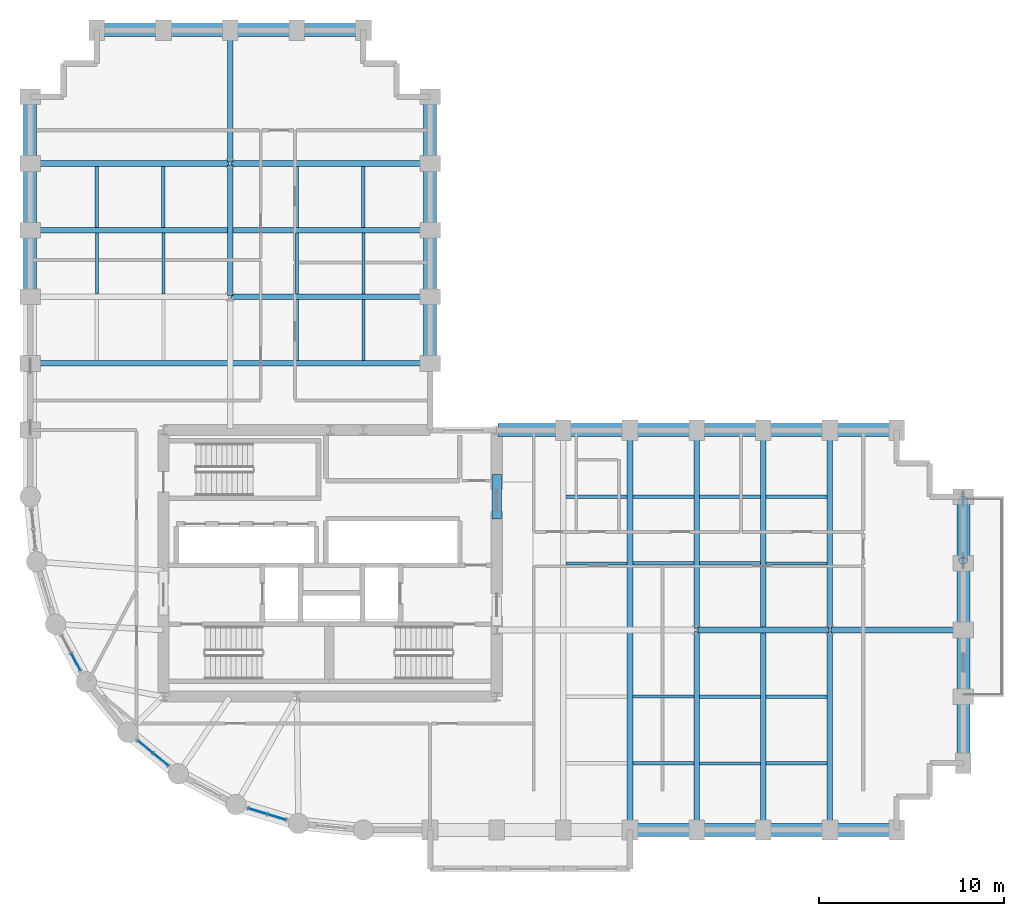
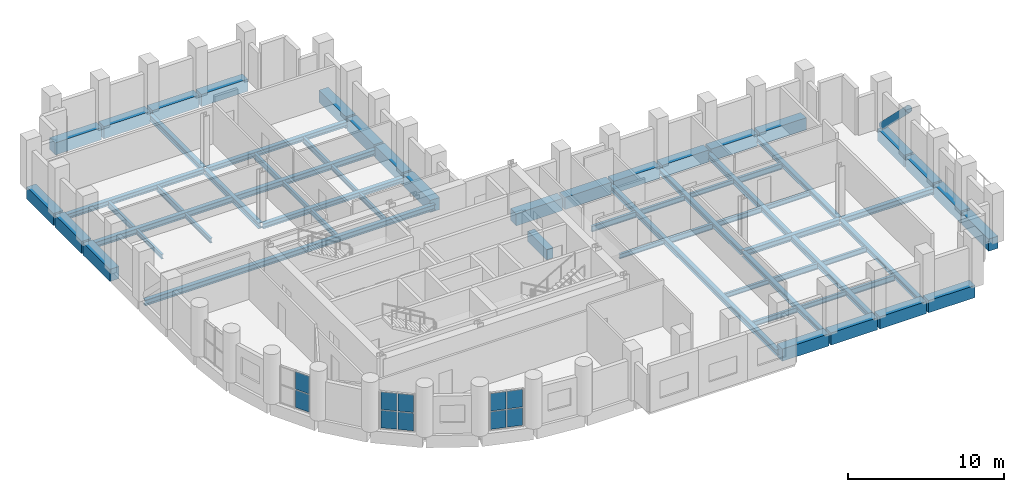
# One storey, part 5 of 11: 65 beams, 10 plates, 1 member, 3 elements without a shape of their own.
"""IFC4 building model written with IfcOpenShell, lengths in metres."""

from ifc_helpers import new_model, si_unit, direction, frame, origin, origin_2d, place, context, subcontext, project, spatial, rectangle, hollow_circle, i_section, extrude, material, layer, layer_set, material_profile, profile_set, type_object, element, aggregate, save


model = new_model("IFC4")

# Units and contexts
model_context = context("Model", 3, precision=1e-05, world=origin(), true_north=direction((0.0, 1.0)))
body_context = subcontext(model_context, "Body", "Model", "MODEL_VIEW")
ifc_project = project(units=[si_unit("LENGTHUNIT", "METRE"), si_unit("AREAUNIT", "SQUARE_METRE"), si_unit("VOLUMEUNIT", "CUBIC_METRE"), si_unit("PLANEANGLEUNIT", "RADIAN"), si_unit("MASSUNIT", "GRAM", prefix="KILO")], contexts=[model_context])

# Site, building, storey
site_placement = place(None, origin())
site = spatial("IfcSite", under=ifc_project, at=site_placement, CompositionType="ELEMENT")
building_placement = place(site_placement, origin())
building = spatial("IfcBuilding", under=site, at=building_placement, Name="Solnavia Interchange Tower", CompositionType="ELEMENT")
storey_placement = place(building_placement, frame((0.0, 0.0, 99.60009765625)))
storey = spatial("IfcBuildingStorey", under=building, at=storey_placement, Name="L24", CompositionType="ELEMENT", Elevation=99.60009765625)

# Beams
ifc_material_1 = material(Name="Concrete C50/60", Category="concrete")
ifc_material_profile_1 = material_profile(ifc_material_1, rectangle(XDim=0.5, YDim=0.800048828125, at=origin_2d()), Name="RC 500x800")
ifc_profile_set_1 = profile_set([ifc_material_profile_1], Name="Concrete C50/60")
beam_type_1 = type_object("IfcBeamType", Name="Beam-Coupling-RC500x800", PredefinedType="LINTEL", material=ifc_profile_set_1)
beam_1_placement = place(storey_placement, frame((32.39990234375, 20.39990234375, -0.400146484375), z_axis=(0.0, 1.0, 0.0), x_axis=(-1.0, 0.0, 0.0)))
element("IfcBeam", 1, at=beam_1_placement, inside=storey, type_object=beam_type_1, Name="CPB-L24-E2 Core coupling lintel beam", PredefinedType="LINTEL", context=body_context, shape_type="SweptSolid", body=[
    extrude(rectangle(XDim=0.5, YDim=0.800048828125, at=origin_2d()), origin(), (0.0, 0.0, 1.0), 2.400146484375),
])
ifc_material_2 = material(Name="Steel S460", Category="steel")
ifc_material_profile_2 = material_profile(ifc_material_2, i_section(OverallWidth=0.300048828125, OverallDepth=0.449951171875, WebThickness=0.013916015625, FlangeThickness=0.02587890625, FilletRadius=0.027099609375, at=origin_2d()), Name="HEB 450")
ifc_profile_set_2 = profile_set([ifc_material_profile_2], Name="Steel S460")
beam_type_2 = type_object("IfcBeamType", Name="Beam-Girder-HEB450", PredefinedType="BEAM", material=ifc_profile_set_2)
for number, where, z_axis, x_axis, name in (
    (2, (43.280029296875, 14.39990234375, -0.47509765625), (1.0, 0.0, 0.0), (0.0, 1.0, 0.0), "GRD-L24-ES02 East wing spine girder"),
    (3, (50.47998046875, 14.39990234375, -0.47509765625), (1.0, 0.0, 0.0), (0.0, 1.0, 0.0), "GRD-L24-ES03 East wing spine girder"),
    (4, (18.0, 32.47998046875, -0.47509765625), (0.0, 1.0, 0.0), (-1.0, 0.0, 0.0), "GRD-L24-NS12 North wing spine girder"),
    (5, (18.0, 39.679931640625, -0.47509765625), (0.0, 1.0, 0.0), (-1.0, 0.0, 0.0), "GRD-L24-NS13 North wing spine girder"),
):
    element("IfcBeam", number, at=place(storey_placement, frame(where, z_axis=z_axis, x_axis=x_axis)), inside=storey, type_object=beam_type_2, Name=name, PredefinedType="BEAM", context=body_context, shape_type="SweptSolid", body=[
        extrude(i_section(OverallWidth=0.300048828125, OverallDepth=0.449951171875, WebThickness=0.013916015625, FlangeThickness=0.02587890625, FilletRadius=0.027099609375, at=origin_2d()), origin(), (0.0, 0.0, 1.0), 7.0400390625),
    ])
ifc_material_3 = material(Name="Steel S355", Category="steel")
ifc_material_profile_3 = material_profile(ifc_material_3, i_section(OverallWidth=0.169921875, OverallDepth=0.360107421875, WebThickness=0.008056640625, FlangeThickness=0.0126953125, FilletRadius=0.01806640625, at=origin_2d()), Name="IPE 360")
ifc_profile_set_3 = profile_set([ifc_material_profile_3], Name="Steel S355")
beam_type_3 = type_object("IfcBeamType", Name="Beam-Joist-IPE360", PredefinedType="JOIST", material=ifc_profile_set_3)
beam_2_placement = place(storey_placement, frame((43.35009765625, 7.199951171875, -0.43017578125), z_axis=(1.0, 0.0, 0.0), x_axis=(0.0, 1.0, 0.0)))
element("IfcBeam", 6, at=beam_2_placement, inside=storey, type_object=beam_type_3, Name="JST-L24-E03 East wing secondary joist", PredefinedType="JOIST", context=body_context, shape_type="SweptSolid", body=[
    extrude(i_section(OverallWidth=0.169921875, OverallDepth=0.360107421875, WebThickness=0.008056640625, FlangeThickness=0.0126953125, FilletRadius=0.01806640625, at=origin_2d()), origin(), (0.0, 0.0, 1.0), 3.2998046875),
])
for number, where, z_axis, x_axis, name in (
    (7, (39.75, 10.800048828125, -0.43017578125), (1.0, 0.0, 0.0), (0.0, 1.0, 0.0), "JST-L24-E06 East wing secondary joist"),
    (8, (36.14990234375, 18.0, -0.43017578125), (1.0, 0.0, 0.0), (0.0, 1.0, 0.0), "JST-L24-E09 East wing secondary joist"),
    (9, (46.949951171875, 18.0, -0.43017578125), (1.0, 0.0, 0.0), (0.0, 1.0, 0.0), "JST-L24-E12 East wing secondary joist"),
):
    element("IfcBeam", number, at=place(storey_placement, frame(where, z_axis=z_axis, x_axis=x_axis)), inside=storey, type_object=beam_type_3, Name=name, PredefinedType="JOIST", context=body_context, shape_type="SweptSolid", body=[
        extrude(i_section(OverallWidth=0.169921875, OverallDepth=0.360107421875, WebThickness=0.008056640625, FlangeThickness=0.0126953125, FilletRadius=0.01806640625, at=origin_2d()), origin(), (0.0, 0.0, 1.0), 3.300048828125),
    ])
beam_3_placement = place(storey_placement, frame((43.35009765625, 21.60009765625, -0.43017578125), z_axis=(1.0, 0.0, 0.0), x_axis=(0.0, 1.0, 0.0)))
element("IfcBeam", 10, at=beam_3_placement, inside=storey, type_object=beam_type_3, Name="JST-L24-E15 East wing secondary joist", PredefinedType="JOIST", context=body_context, shape_type="SweptSolid", body=[
    extrude(i_section(OverallWidth=0.169921875, OverallDepth=0.360107421875, WebThickness=0.008056640625, FlangeThickness=0.0126953125, FilletRadius=0.01806640625, at=origin_2d()), origin(), (0.0, 0.0, 1.0), 3.2998046875),
])
for number, where, z_axis, x_axis, name in (
    (11, (10.800048828125, 32.550048828125, -0.43017578125), (0.0, 1.0, 0.0), (-1.0, 0.0, 0.0), "JST-L24-N18 North wing secondary joist"),
    (12, (14.39990234375, 32.550048828125, -0.43017578125), (0.0, 1.0, 0.0), (-1.0, 0.0, 0.0), "JST-L24-N21 North wing secondary joist"),
    (13, (21.60009765625, 32.550048828125, -0.43017578125), (0.0, 1.0, 0.0), (-1.0, 0.0, 0.0), "JST-L24-N24 North wing secondary joist"),
    (14, (25.199951171875, 32.550048828125, -0.43017578125), (0.0, 1.0, 0.0), (-1.0, 0.0, 0.0), "JST-L24-N27 North wing secondary joist"),
):
    element("IfcBeam", number, at=place(storey_placement, frame(where, z_axis=z_axis, x_axis=x_axis)), inside=storey, type_object=beam_type_3, Name=name, PredefinedType="JOIST", context=body_context, shape_type="SweptSolid", body=[
        extrude(i_section(OverallWidth=0.169921875, OverallDepth=0.360107421875, WebThickness=0.008056640625, FlangeThickness=0.0126953125, FilletRadius=0.01806640625, at=origin_2d()), origin(), (0.0, 0.0, 1.0), 3.300048828125),
    ])
ifc_material_profile_4 = material_profile(ifc_material_3, i_section(OverallWidth=0.179931640625, OverallDepth=0.39990234375, WebThickness=0.008544921875, FlangeThickness=0.013427734375, FilletRadius=0.02099609375, at=origin_2d()), Name="IPE 400")
ifc_profile_set_4 = profile_set([ifc_material_profile_4], Name="Steel S355")
beam_type_4 = type_object("IfcBeamType", Name="Beam-Joist-IPE400", PredefinedType="JOIST", material=ifc_profile_set_4)
for number, where, z_axis, x_axis, name in (
    (15, (39.75, 7.199951171875, -0.4501953125), (1.0, 0.0, 0.0), (0.0, 1.0, 0.0), "JST-L24-E02 East wing secondary joist"),
    (16, (46.949951171875, 10.800048828125, -0.4501953125), (1.0, 0.0, 0.0), (0.0, 1.0, 0.0), "JST-L24-E08 East wing secondary joist"),
):
    element("IfcBeam", number, at=place(storey_placement, frame(where, z_axis=z_axis, x_axis=x_axis)), inside=storey, type_object=beam_type_4, Name=name, PredefinedType="JOIST", context=body_context, shape_type="SweptSolid", body=[
        extrude(i_section(OverallWidth=0.179931640625, OverallDepth=0.39990234375, WebThickness=0.008544921875, FlangeThickness=0.013427734375, FilletRadius=0.02099609375, at=origin_2d()), origin(), (0.0, 0.0, 1.0), 3.300048828125),
    ])
beam_4_placement = place(storey_placement, frame((43.35009765625, 18.0, -0.4501953125), z_axis=(1.0, 0.0, 0.0), x_axis=(0.0, 1.0, 0.0)))
element("IfcBeam", 17, at=beam_4_placement, inside=storey, type_object=beam_type_4, Name="JST-L24-E11 East wing secondary joist", PredefinedType="JOIST", context=body_context, shape_type="SweptSolid", body=[
    extrude(i_section(OverallWidth=0.179931640625, OverallDepth=0.39990234375, WebThickness=0.008544921875, FlangeThickness=0.013427734375, FilletRadius=0.02099609375, at=origin_2d()), origin(), (0.0, 0.0, 1.0), 3.2998046875),
])
for number, where, z_axis, x_axis, name in (
    (18, (39.75, 21.60009765625, -0.4501953125), (1.0, 0.0, 0.0), (0.0, 1.0, 0.0), "JST-L24-E14 East wing secondary joist"),
    (19, (21.60009765625, 28.949951171875, -0.4501953125), (0.0, 1.0, 0.0), (-1.0, 0.0, 0.0), "JST-L24-N23 North wing secondary joist"),
    (20, (25.199951171875, 28.949951171875, -0.4501953125), (0.0, 1.0, 0.0), (-1.0, 0.0, 0.0), "JST-L24-N26 North wing secondary joist"),
):
    element("IfcBeam", number, at=place(storey_placement, frame(where, z_axis=z_axis, x_axis=x_axis)), inside=storey, type_object=beam_type_4, Name=name, PredefinedType="JOIST", context=body_context, shape_type="SweptSolid", body=[
        extrude(i_section(OverallWidth=0.179931640625, OverallDepth=0.39990234375, WebThickness=0.008544921875, FlangeThickness=0.013427734375, FilletRadius=0.02099609375, at=origin_2d()), origin(), (0.0, 0.0, 1.0), 3.300048828125),
    ])
ifc_material_profile_5 = material_profile(ifc_material_3, i_section(OverallWidth=0.18994140625, OverallDepth=0.449951171875, WebThickness=0.009521484375, FlangeThickness=0.0146484375, FilletRadius=0.02099609375, at=origin_2d()), Name="IPE 450")
ifc_profile_set_5 = profile_set([ifc_material_profile_5], Name="Steel S355")
beam_type_5 = type_object("IfcBeamType", Name="Beam-Joist-IPE450", PredefinedType="JOIST", material=ifc_profile_set_5)
beam_5_placement = place(storey_placement, frame((46.949951171875, 7.199951171875, -0.47509765625), z_axis=(1.0, 0.0, 0.0), x_axis=(0.0, 1.0, 0.0)))
element("IfcBeam", 21, at=beam_5_placement, inside=storey, type_object=beam_type_5, Name="JST-L24-E04 East wing secondary joist", PredefinedType="JOIST", context=body_context, shape_type="SweptSolid", body=[
    extrude(i_section(OverallWidth=0.18994140625, OverallDepth=0.449951171875, WebThickness=0.009521484375, FlangeThickness=0.0146484375, FilletRadius=0.02099609375, at=origin_2d()), origin(), (0.0, 0.0, 1.0), 3.300048828125),
])
beam_6_placement = place(storey_placement, frame((43.35009765625, 10.800048828125, -0.47509765625), z_axis=(1.0, 0.0, 0.0), x_axis=(0.0, 1.0, 0.0)))
element("IfcBeam", 22, at=beam_6_placement, inside=storey, type_object=beam_type_5, Name="JST-L24-E07 East wing secondary joist", PredefinedType="JOIST", context=body_context, shape_type="SweptSolid", body=[
    extrude(i_section(OverallWidth=0.18994140625, OverallDepth=0.449951171875, WebThickness=0.009521484375, FlangeThickness=0.0146484375, FilletRadius=0.02099609375, at=origin_2d()), origin(), (0.0, 0.0, 1.0), 3.2998046875),
])
for number, where, z_axis, x_axis, name in (
    (23, (39.75, 18.0, -0.47509765625), (1.0, 0.0, 0.0), (0.0, 1.0, 0.0), "JST-L24-E10 East wing secondary joist"),
    (24, (36.14990234375, 21.60009765625, -0.47509765625), (1.0, 0.0, 0.0), (0.0, 1.0, 0.0), "JST-L24-E13 East wing secondary joist"),
    (25, (46.949951171875, 21.60009765625, -0.47509765625), (1.0, 0.0, 0.0), (0.0, 1.0, 0.0), "JST-L24-E16 East wing secondary joist"),
    (26, (10.800048828125, 36.14990234375, -0.47509765625), (0.0, 1.0, 0.0), (-1.0, 0.0, 0.0), "JST-L24-N19 North wing secondary joist"),
    (27, (14.39990234375, 36.14990234375, -0.47509765625), (0.0, 1.0, 0.0), (-1.0, 0.0, 0.0), "JST-L24-N22 North wing secondary joist"),
    (28, (21.60009765625, 36.14990234375, -0.47509765625), (0.0, 1.0, 0.0), (-1.0, 0.0, 0.0), "JST-L24-N25 North wing secondary joist"),
    (29, (25.199951171875, 36.14990234375, -0.47509765625), (0.0, 1.0, 0.0), (-1.0, 0.0, 0.0), "JST-L24-N28 North wing secondary joist"),
):
    element("IfcBeam", number, at=place(storey_placement, frame(where, z_axis=z_axis, x_axis=x_axis)), inside=storey, type_object=beam_type_5, Name=name, PredefinedType="JOIST", context=body_context, shape_type="SweptSolid", body=[
        extrude(i_section(OverallWidth=0.18994140625, OverallDepth=0.449951171875, WebThickness=0.009521484375, FlangeThickness=0.0146484375, FilletRadius=0.02099609375, at=origin_2d()), origin(), (0.0, 0.0, 1.0), 3.300048828125),
    ])
ifc_material_profile_6 = material_profile(ifc_material_3, i_section(OverallWidth=0.300048828125, OverallDepth=0.389892578125, WebThickness=0.010986328125, FlangeThickness=0.01904296875, FilletRadius=0.027099609375, at=origin_2d()), Name="HEA 400")
ifc_profile_set_6 = profile_set([ifc_material_profile_6], Name="Steel S355")
beam_type_6 = type_object("IfcBeamType", Name="Beam-Primary-HEA400", PredefinedType="BEAM", material=ifc_profile_set_6)
for number, where, z_axis, x_axis, name in (
    (30, (43.199951171875, 3.679931640625, -0.445068359375), (0.0, 1.0, 0.0), (-1.0, 0.0, 0.0), "GRD-L24-EW06 East wing primary floor girder"),
    (31, (43.199951171875, 14.47998046875, -0.445068359375), (0.0, 1.0, 0.0), (-1.0, 0.0, 0.0), "GRD-L24-EW07 East wing primary floor girder"),
    (32, (50.39990234375, 3.679931640625, -0.445068359375), (0.0, 1.0, 0.0), (-1.0, 0.0, 0.0), "GRD-L24-EW09 East wing primary floor girder"),
    (33, (50.39990234375, 14.47998046875, -0.445068359375), (0.0, 1.0, 0.0), (-1.0, 0.0, 0.0), "GRD-L24-EW10 East wing primary floor girder"),
):
    element("IfcBeam", number, at=place(storey_placement, frame(where, z_axis=z_axis, x_axis=x_axis)), inside=storey, type_object=beam_type_6, Name=name, PredefinedType="BEAM", context=body_context, shape_type="SweptSolid", body=[
        extrude(i_section(OverallWidth=0.300048828125, OverallDepth=0.389892578125, WebThickness=0.010986328125, FlangeThickness=0.01904296875, FilletRadius=0.027099609375, at=origin_2d()), origin(), (0.0, 0.0, 1.0), 10.64013671875),
    ])
for number, where, z_axis, x_axis, name in (
    (34, (18.080078125, 32.39990234375, -0.445068359375), (1.0, 0.0, 0.0), (0.0, 1.0, 0.0), "GRD-L24-NW16 North wing primary floor girder"),
    (35, (7.280029296875, 39.60009765625, -0.445068359375), (1.0, 0.0, 0.0), (0.0, 1.0, 0.0), "GRD-L24-NW18 North wing primary floor girder"),
    (36, (18.080078125, 39.60009765625, -0.445068359375), (1.0, 0.0, 0.0), (0.0, 1.0, 0.0), "GRD-L24-NW19 North wing primary floor girder"),
):
    element("IfcBeam", number, at=place(storey_placement, frame(where, z_axis=z_axis, x_axis=x_axis)), inside=storey, type_object=beam_type_6, Name=name, PredefinedType="BEAM", context=body_context, shape_type="SweptSolid", body=[
        extrude(i_section(OverallWidth=0.300048828125, OverallDepth=0.389892578125, WebThickness=0.010986328125, FlangeThickness=0.01904296875, FilletRadius=0.027099609375, at=origin_2d()), origin(), (0.0, 0.0, 1.0), 10.639892578125),
    ])
ifc_material_profile_7 = material_profile(ifc_material_3, i_section(OverallWidth=0.300048828125, OverallDepth=0.43994140625, WebThickness=0.011474609375, FlangeThickness=0.02099609375, FilletRadius=0.027099609375, at=origin_2d()), Name="HEA 450")
ifc_profile_set_7 = profile_set([ifc_material_profile_7], Name="Steel S355")
beam_type_7 = type_object("IfcBeamType", Name="Beam-Primary-HEA450", PredefinedType="BEAM", material=ifc_profile_set_7)
for number, where, z_axis, x_axis, name in (
    (37, (39.60009765625, 3.679931640625, -0.47021484375), (0.0, 1.0, 0.0), (-1.0, 0.0, 0.0), "GRD-L24-EW05 East wing primary floor girder"),
    (38, (46.800048828125, 3.679931640625, -0.47021484375), (0.0, 1.0, 0.0), (-1.0, 0.0, 0.0), "GRD-L24-EW08 East wing primary floor girder"),
):
    element("IfcBeam", number, at=place(storey_placement, frame(where, z_axis=z_axis, x_axis=x_axis)), inside=storey, type_object=beam_type_7, Name=name, PredefinedType="BEAM", context=body_context, shape_type="SweptSolid", body=[
        extrude(i_section(OverallWidth=0.300048828125, OverallDepth=0.43994140625, WebThickness=0.011474609375, FlangeThickness=0.02099609375, FilletRadius=0.027099609375, at=origin_2d()), origin(), (0.0, 0.0, 1.0), 21.440185546875),
    ])
for number, where, z_axis, x_axis, name in (
    (39, (7.280029296875, 28.800048828125, -0.47021484375), (1.0, 0.0, 0.0), (0.0, 1.0, 0.0), "GRD-L24-NW14 North wing primary floor girder"),
    (40, (7.280029296875, 36.0, -0.47021484375), (1.0, 0.0, 0.0), (0.0, 1.0, 0.0), "GRD-L24-NW17 North wing primary floor girder"),
):
    element("IfcBeam", number, at=place(storey_placement, frame(where, z_axis=z_axis, x_axis=x_axis)), inside=storey, type_object=beam_type_7, Name=name, PredefinedType="BEAM", context=body_context, shape_type="SweptSolid", body=[
        extrude(i_section(OverallWidth=0.300048828125, OverallDepth=0.43994140625, WebThickness=0.011474609375, FlangeThickness=0.02099609375, FilletRadius=0.027099609375, at=origin_2d()), origin(), (0.0, 0.0, 1.0), 21.43994140625),
    ])
ifc_material_profile_8 = material_profile(ifc_material_1, rectangle(XDim=0.699951171875, YDim=0.949951171875, at=origin_2d()), Name="RC 700x950")
ifc_profile_set_8 = profile_set([ifc_material_profile_8], Name="Concrete C50/60")
beam_type_8 = type_object("IfcBeamType", Name="Beam-Spandrel-RC700x950", PredefinedType="SPANDREL", material=ifc_profile_set_8)
beam_7_placement = place(storey_placement, frame((39.679931640625, 3.60009765625, -0.47509765625), z_axis=(1.0, 0.0, 0.0), x_axis=(0.0, 1.0, 0.0)))
element("IfcBeam", 41, at=beam_7_placement, inside=storey, type_object=beam_type_8, Name="SPB-L24-13 Framed-tube perimeter spandrel beam", PredefinedType="SPANDREL", context=body_context, shape_type="SweptSolid", body=[
    extrude(rectangle(XDim=0.699951171875, YDim=0.949951171875, at=origin_2d()), origin(), (0.0, 0.0, 1.0), 3.440185546875),
])
beam_8_placement = place(storey_placement, frame((43.280029296875, 3.60009765625, -0.47509765625), z_axis=(1.0, 0.0, 0.0), x_axis=(0.0, 1.0, 0.0)))
element("IfcBeam", 42, at=beam_8_placement, inside=storey, type_object=beam_type_8, Name="SPB-L24-14 Framed-tube perimeter spandrel beam", PredefinedType="SPANDREL", context=body_context, shape_type="SweptSolid", body=[
    extrude(rectangle(XDim=0.699951171875, YDim=0.949951171875, at=origin_2d()), origin(), (0.0, 0.0, 1.0), 3.43994140625),
])
beam_9_placement = place(storey_placement, frame((46.8798828125, 3.60009765625, -0.47509765625), z_axis=(1.0, 0.0, 0.0), x_axis=(0.0, 1.0, 0.0)))
element("IfcBeam", 43, at=beam_9_placement, inside=storey, type_object=beam_type_8, Name="SPB-L24-15 Framed-tube perimeter spandrel beam", PredefinedType="SPANDREL", context=body_context, shape_type="SweptSolid", body=[
    extrude(rectangle(XDim=0.699951171875, YDim=0.949951171875, at=origin_2d()), origin(), (0.0, 0.0, 1.0), 3.440185546875),
])
for number, where, z_axis, x_axis, name in (
    (44, (50.47998046875, 3.60009765625, -0.47509765625), (1.0, 0.0, 0.0), (0.0, 1.0, 0.0), "SPB-L24-16 Framed-tube perimeter spandrel beam"),
    (45, (57.60009765625, 7.280029296875, -0.47509765625), (0.0, 1.0, 0.0), (-1.0, 0.0, 0.0), "SPB-L24-17 Framed-tube perimeter spandrel beam"),
):
    element("IfcBeam", number, at=place(storey_placement, frame(where, z_axis=z_axis, x_axis=x_axis)), inside=storey, type_object=beam_type_8, Name=name, PredefinedType="SPANDREL", context=body_context, shape_type="SweptSolid", body=[
        extrude(rectangle(XDim=0.699951171875, YDim=0.949951171875, at=origin_2d()), origin(), (0.0, 0.0, 1.0), 3.43994140625),
    ])
beam_10_placement = place(storey_placement, frame((57.60009765625, 10.8798828125, -0.47509765625), z_axis=(0.0, 1.0, 0.0), x_axis=(-1.0, 0.0, 0.0)))
element("IfcBeam", 46, at=beam_10_placement, inside=storey, type_object=beam_type_8, Name="SPB-L24-18 Framed-tube perimeter spandrel beam", PredefinedType="SPANDREL", context=body_context, shape_type="SweptSolid", body=[
    extrude(rectangle(XDim=0.699951171875, YDim=0.949951171875, at=origin_2d()), origin(), (0.0, 0.0, 1.0), 3.440185546875),
])
for number, where, z_axis, x_axis, name in (
    (47, (57.60009765625, 14.47998046875, -0.47509765625), (0.0, 1.0, 0.0), (-1.0, 0.0, 0.0), "SPB-L24-19 Framed-tube perimeter spandrel beam"),
    (48, (57.60009765625, 18.080078125, -0.47509765625), (0.0, 1.0, 0.0), (-1.0, 0.0, 0.0), "SPB-L24-20 Framed-tube perimeter spandrel beam"),
    (49, (53.919921875, 25.199951171875, -0.47509765625), (-1.0, 0.0, 0.0), (0.0, -1.0, 0.0), "SPB-L24-21 Framed-tube perimeter spandrel beam"),
):
    element("IfcBeam", number, at=place(storey_placement, frame(where, z_axis=z_axis, x_axis=x_axis)), inside=storey, type_object=beam_type_8, Name=name, PredefinedType="SPANDREL", context=body_context, shape_type="SweptSolid", body=[
        extrude(rectangle(XDim=0.699951171875, YDim=0.949951171875, at=origin_2d()), origin(), (0.0, 0.0, 1.0), 3.43994140625),
    ])
beam_11_placement = place(storey_placement, frame((50.320068359375, 25.199951171875, -0.47509765625), z_axis=(-1.0, 0.0, 0.0), x_axis=(0.0, -1.0, 0.0)))
element("IfcBeam", 50, at=beam_11_placement, inside=storey, type_object=beam_type_8, Name="SPB-L24-22 Framed-tube perimeter spandrel beam", PredefinedType="SPANDREL", context=body_context, shape_type="SweptSolid", body=[
    extrude(rectangle(XDim=0.699951171875, YDim=0.949951171875, at=origin_2d()), origin(), (0.0, 0.0, 1.0), 3.440185546875),
])
beam_12_placement = place(storey_placement, frame((46.719970703125, 25.199951171875, -0.47509765625), z_axis=(-1.0, 0.0, 0.0), x_axis=(0.0, -1.0, 0.0)))
element("IfcBeam", 51, at=beam_12_placement, inside=storey, type_object=beam_type_8, Name="SPB-L24-23 Framed-tube perimeter spandrel beam", PredefinedType="SPANDREL", context=body_context, shape_type="SweptSolid", body=[
    extrude(rectangle(XDim=0.699951171875, YDim=0.949951171875, at=origin_2d()), origin(), (0.0, 0.0, 1.0), 3.43994140625),
])
beam_13_placement = place(storey_placement, frame((43.1201171875, 25.199951171875, -0.47509765625), z_axis=(-1.0, 0.0, 0.0), x_axis=(0.0, -1.0, 0.0)))
element("IfcBeam", 52, at=beam_13_placement, inside=storey, type_object=beam_type_8, Name="SPB-L24-24 Framed-tube perimeter spandrel beam", PredefinedType="SPANDREL", context=body_context, shape_type="SweptSolid", body=[
    extrude(rectangle(XDim=0.699951171875, YDim=0.949951171875, at=origin_2d()), origin(), (0.0, 0.0, 1.0), 3.440185546875),
])
for number, where, z_axis, x_axis, name in (
    (53, (39.52001953125, 25.199951171875, -0.47509765625), (-1.0, 0.0, 0.0), (0.0, -1.0, 0.0), "SPB-L24-25 Framed-tube perimeter spandrel beam"),
    (54, (35.919921875, 25.199951171875, -0.47509765625), (-1.0, 0.0, 0.0), (0.0, -1.0, 0.0), "SPB-L24-26 Framed-tube perimeter spandrel beam"),
):
    element("IfcBeam", number, at=place(storey_placement, frame(where, z_axis=z_axis, x_axis=x_axis)), inside=storey, type_object=beam_type_8, Name=name, PredefinedType="SPANDREL", context=body_context, shape_type="SweptSolid", body=[
        extrude(rectangle(XDim=0.699951171875, YDim=0.949951171875, at=origin_2d()), origin(), (0.0, 0.0, 1.0), 3.43994140625),
    ])
beam_14_placement = place(storey_placement, frame((28.800048828125, 28.8798828125, -0.47509765625), z_axis=(0.0, 1.0, 0.0), x_axis=(-1.0, 0.0, 0.0)))
element("IfcBeam", 55, at=beam_14_placement, inside=storey, type_object=beam_type_8, Name="SPB-L24-27 Framed-tube perimeter spandrel beam", PredefinedType="SPANDREL", context=body_context, shape_type="SweptSolid", body=[
    extrude(rectangle(XDim=0.699951171875, YDim=0.949951171875, at=origin_2d()), origin(), (0.0, 0.0, 1.0), 3.440185546875),
])
for number, where, z_axis, x_axis, name in (
    (56, (28.800048828125, 32.47998046875, -0.47509765625), (0.0, 1.0, 0.0), (-1.0, 0.0, 0.0), "SPB-L24-28 Framed-tube perimeter spandrel beam"),
    (57, (28.800048828125, 36.080078125, -0.47509765625), (0.0, 1.0, 0.0), (-1.0, 0.0, 0.0), "SPB-L24-29 Framed-tube perimeter spandrel beam"),
):
    element("IfcBeam", number, at=place(storey_placement, frame(where, z_axis=z_axis, x_axis=x_axis)), inside=storey, type_object=beam_type_8, Name=name, PredefinedType="SPANDREL", context=body_context, shape_type="SweptSolid", body=[
        extrude(rectangle(XDim=0.699951171875, YDim=0.949951171875, at=origin_2d()), origin(), (0.0, 0.0, 1.0), 3.43994140625),
    ])
for number, where, z_axis, x_axis, name in (
    (58, (28.800048828125, 39.679931640625, -0.47509765625), (0.0, 1.0, 0.0), (-1.0, 0.0, 0.0), "SPB-L24-30 Framed-tube perimeter spandrel beam"),
    (59, (25.1201171875, 46.800048828125, -0.47509765625), (-1.0, 0.0, 0.0), (0.0, -1.0, 0.0), "SPB-L24-31 Framed-tube perimeter spandrel beam"),
):
    element("IfcBeam", number, at=place(storey_placement, frame(where, z_axis=z_axis, x_axis=x_axis)), inside=storey, type_object=beam_type_8, Name=name, PredefinedType="SPANDREL", context=body_context, shape_type="SweptSolid", body=[
        extrude(rectangle(XDim=0.699951171875, YDim=0.949951171875, at=origin_2d()), origin(), (0.0, 0.0, 1.0), 3.440185546875),
    ])
for number, where, z_axis, x_axis, name in (
    (60, (21.52001953125, 46.800048828125, -0.47509765625), (-1.0, 0.0, 0.0), (0.0, -1.0, 0.0), "SPB-L24-32 Framed-tube perimeter spandrel beam"),
    (61, (17.919921875, 46.800048828125, -0.47509765625), (-1.0, 0.0, 0.0), (0.0, -1.0, 0.0), "SPB-L24-33 Framed-tube perimeter spandrel beam"),
):
    element("IfcBeam", number, at=place(storey_placement, frame(where, z_axis=z_axis, x_axis=x_axis)), inside=storey, type_object=beam_type_8, Name=name, PredefinedType="SPANDREL", context=body_context, shape_type="SweptSolid", body=[
        extrude(rectangle(XDim=0.699951171875, YDim=0.949951171875, at=origin_2d()), origin(), (0.0, 0.0, 1.0), 3.43994140625),
    ])
for number, where, z_axis, x_axis, name in (
    (62, (14.320068359375, 46.800048828125, -0.47509765625), (-1.0, 0.0, 0.0), (0.0, -1.0, 0.0), "SPB-L24-34 Framed-tube perimeter spandrel beam"),
    (63, (7.199951171875, 43.1201171875, -0.47509765625), (0.0, -1.0, 0.0), (1.0, 0.0, 0.0), "SPB-L24-35 Framed-tube perimeter spandrel beam"),
):
    element("IfcBeam", number, at=place(storey_placement, frame(where, z_axis=z_axis, x_axis=x_axis)), inside=storey, type_object=beam_type_8, Name=name, PredefinedType="SPANDREL", context=body_context, shape_type="SweptSolid", body=[
        extrude(rectangle(XDim=0.699951171875, YDim=0.949951171875, at=origin_2d()), origin(), (0.0, 0.0, 1.0), 3.440185546875),
    ])
for number, where, z_axis, x_axis, name in (
    (64, (7.199951171875, 39.52001953125, -0.47509765625), (0.0, -1.0, 0.0), (1.0, 0.0, 0.0), "SPB-L24-36 Framed-tube perimeter spandrel beam"),
    (65, (7.199951171875, 35.919921875, -0.47509765625), (0.0, -1.0, 0.0), (1.0, 0.0, 0.0), "SPB-L24-37 Framed-tube perimeter spandrel beam"),
):
    element("IfcBeam", number, at=place(storey_placement, frame(where, z_axis=z_axis, x_axis=x_axis)), inside=storey, type_object=beam_type_8, Name=name, PredefinedType="SPANDREL", context=body_context, shape_type="SweptSolid", body=[
        extrude(rectangle(XDim=0.699951171875, YDim=0.949951171875, at=origin_2d()), origin(), (0.0, 0.0, 1.0), 3.43994140625),
    ])

# Member
ifc_material_profile_9 = material_profile(ifc_material_2, hollow_circle(Radius=0.25390625, WallThickness=0.02490234375, at=origin_2d()), Name="CHS 508x25")
ifc_profile_set_9 = profile_set([ifc_material_profile_9], Name="Steel S460")
member_type = type_object("IfcMemberType", Name="Brace-Perim-CHS508", PredefinedType="BRACE", material=ifc_profile_set_9)
member_placement = place(storey_placement, frame((57.60009765625, 21.4599609375, 0.179931640625), z_axis=(0.0, -0.710311792477, 0.703887176661), x_axis=(1.0, 0.0, 0.0)))
element("IfcMember", 66, at=member_placement, inside=storey, type_object=member_type, Name="BRC-L24-02 Perimeter tube diagonal brace", PredefinedType="BRACE", context=body_context, shape_type="SweptSolid", body=[
    extrude(hollow_circle(Radius=0.25390625, WallThickness=0.02490234375, at=origin_2d()), origin(), (0.0, 0.0, 1.0), 4.674072265625),
])

# Curtain wall, plates
ifc_material_4 = material(Name="Aluminium Alloy 6063-T6", Category="aluminium")
ifc_layer_1 = layer(ifc_material_4, 0.239990234375)
ifc_layer_set_1 = layer_set([ifc_layer_1], Name="Aluminium Alloy 6063-T6")
curtain_wall_type = type_object("IfcCurtainWallType", Name="CurtainWall-Drum-CTW2", PredefinedType="NOTDEFINED", material=ifc_layer_set_1)
curtain_wall_1_placement = place(storey_placement, origin())
curtain_wall_1 = element("IfcCurtainWall", 67, at=curtain_wall_1_placement, inside=storey, type_object=curtain_wall_type, Name="CTW-L24-D55 CTW-2 curtain wall", PredefinedType="NOTDEFINED")
ifc_material_5 = material(Name="Double-Glazed Low-E IGU Glass", Category="glass")
ifc_layer_2 = layer(ifc_material_5, 0.031982421875)
ifc_layer_set_2 = layer_set([ifc_layer_2], Name="Double-Glazed Low-E IGU Glass")
plate_type = type_object("IfcPlateType", Name="CW-Panel-Solar-32", PredefinedType="CURTAIN_PANEL", material=ifc_layer_set_2)
plate_1_placement = place(storey_placement, frame((9.658935546875, 12.675537109375, 0.06494140625), z_axis=(0.0, 0.0, 1.0), x_axis=(0.471536719402, -0.881846427818, 0.0)))
plate_1 = element("IfcPlate", 68, at=plate_1_placement, type_object=plate_type, Name="CTW-2 panel 2.1", PredefinedType="CURTAIN_PANEL", context=body_context, shape_type="SweptSolid", body=[
    extrude(rectangle(XDim=1.014404296875, YDim=0.031982421875, at=origin_2d()), origin(), (0.0, 0.0, 1.0), 1.367431640625),
])
plate_2_placement = place(storey_placement, frame((9.658935546875, 12.675537109375, 1.49755859375), z_axis=(0.0, 0.0, 1.0), x_axis=(0.471536719402, -0.881846427818, 0.0)))
plate_2 = element("IfcPlate", 69, at=plate_2_placement, type_object=plate_type, Name="CTW-2 panel 2.2", PredefinedType="CURTAIN_PANEL", context=body_context, shape_type="SweptSolid", body=[
    extrude(rectangle(XDim=1.014404296875, YDim=0.031982421875, at=origin_2d()), origin(), (0.0, 0.0, 1.0), 1.367431640625),
])
aggregate(curtain_wall_1, [plate_1, plate_2])

curtain_wall_2_placement = place(storey_placement, origin())
curtain_wall_2 = element("IfcCurtainWall", 70, at=curtain_wall_2_placement, inside=storey, type_object=curtain_wall_type, Name="CTW-L24-D57 CTW-2 curtain wall", PredefinedType="NOTDEFINED")
plate_3_placement = place(storey_placement, frame((13.4150390625, 8.098388671875, 0.06494140625), z_axis=(0.0, 0.0, 1.0), x_axis=(0.773094572227, -0.634290771172, 0.0)))
plate_3 = element("IfcPlate", 71, at=plate_3_placement, type_object=plate_type, Name="CTW-2 panel 1.1", PredefinedType="CURTAIN_PANEL", context=body_context, shape_type="SweptSolid", body=[
    extrude(rectangle(XDim=1.01416015625, YDim=0.031982421875, at=origin_2d()), origin(), (0.0, 0.0, 1.0), 1.367431640625),
])
plate_4_placement = place(storey_placement, frame((13.4150390625, 8.098388671875, 1.49755859375), z_axis=(0.0, 0.0, 1.0), x_axis=(0.773094572227, -0.634290771172, 0.0)))
plate_4 = element("IfcPlate", 72, at=plate_4_placement, type_object=plate_type, Name="CTW-2 panel 1.2", PredefinedType="CURTAIN_PANEL", context=body_context, shape_type="SweptSolid", body=[
    extrude(rectangle(XDim=1.01416015625, YDim=0.031982421875, at=origin_2d()), origin(), (0.0, 0.0, 1.0), 1.367431640625),
])
plate_5_placement = place(storey_placement, frame((14.257080078125, 7.407470703125, 0.06494140625), z_axis=(0.0, 0.0, 1.0), x_axis=(0.773094572227, -0.634290771172, 0.0)))
plate_5 = element("IfcPlate", 73, at=plate_5_placement, type_object=plate_type, Name="CTW-2 panel 2.1", PredefinedType="CURTAIN_PANEL", context=body_context, shape_type="SweptSolid", body=[
    extrude(rectangle(XDim=1.01416015625, YDim=0.031982421875, at=origin_2d()), origin(), (0.0, 0.0, 1.0), 1.367431640625),
])
plate_6_placement = place(storey_placement, frame((14.257080078125, 7.407470703125, 1.49755859375), z_axis=(0.0, 0.0, 1.0), x_axis=(0.773094572227, -0.634290771172, 0.0)))
plate_6 = element("IfcPlate", 74, at=plate_6_placement, type_object=plate_type, Name="CTW-2 panel 2.2", PredefinedType="CURTAIN_PANEL", context=body_context, shape_type="SweptSolid", body=[
    extrude(rectangle(XDim=1.01416015625, YDim=0.031982421875, at=origin_2d()), origin(), (0.0, 0.0, 1.0), 1.367431640625),
])
aggregate(curtain_wall_2, [plate_3, plate_4, plate_5, plate_6])

curtain_wall_3_placement = place(storey_placement, origin())
curtain_wall_3 = element("IfcCurtainWall", 75, at=curtain_wall_3_placement, inside=storey, type_object=curtain_wall_type, Name="CTW-L24-D59 CTW-2 curtain wall", PredefinedType="NOTDEFINED")
plate_7_placement = place(storey_placement, frame((19.47900390625, 4.615966796875, 0.06494140625), z_axis=(0.0, 0.0, 1.0), x_axis=(0.956934759739, -0.290303058206, 0.0)))
plate_7 = element("IfcPlate", 76, at=plate_7_placement, type_object=plate_type, Name="CTW-2 panel 1.1", PredefinedType="CURTAIN_PANEL", context=body_context, shape_type="SweptSolid", body=[
    extrude(rectangle(XDim=1.013916015625, YDim=0.031982421875, at=origin_2d()), origin(), (0.0, 0.0, 1.0), 1.367431640625),
])
plate_8_placement = place(storey_placement, frame((19.47900390625, 4.615966796875, 1.49755859375), z_axis=(0.0, 0.0, 1.0), x_axis=(0.956934759739, -0.290303058206, 0.0)))
plate_8 = element("IfcPlate", 77, at=plate_8_placement, type_object=plate_type, Name="CTW-2 panel 1.2", PredefinedType="CURTAIN_PANEL", context=body_context, shape_type="SweptSolid", body=[
    extrude(rectangle(XDim=1.013916015625, YDim=0.031982421875, at=origin_2d()), origin(), (0.0, 0.0, 1.0), 1.367431640625),
])
plate_9_placement = place(storey_placement, frame((20.52099609375, 4.300048828125, 0.06494140625), z_axis=(0.0, 0.0, 1.0), x_axis=(0.956934759739, -0.290303058206, 0.0)))
plate_9 = element("IfcPlate", 78, at=plate_9_placement, type_object=plate_type, Name="CTW-2 panel 2.1", PredefinedType="CURTAIN_PANEL", context=body_context, shape_type="SweptSolid", body=[
    extrude(rectangle(XDim=1.013916015625, YDim=0.031982421875, at=origin_2d()), origin(), (0.0, 0.0, 1.0), 1.367431640625),
])
plate_10_placement = place(storey_placement, frame((20.52099609375, 4.300048828125, 1.49755859375), z_axis=(0.0, 0.0, 1.0), x_axis=(0.956934759739, -0.290303058206, 0.0)))
plate_10 = element("IfcPlate", 79, at=plate_10_placement, type_object=plate_type, Name="CTW-2 panel 2.2", PredefinedType="CURTAIN_PANEL", context=body_context, shape_type="SweptSolid", body=[
    extrude(rectangle(XDim=1.013916015625, YDim=0.031982421875, at=origin_2d()), origin(), (0.0, 0.0, 1.0), 1.367431640625),
])
aggregate(curtain_wall_3, [plate_7, plate_8, plate_9, plate_10])

save(model, "model.ifc")
